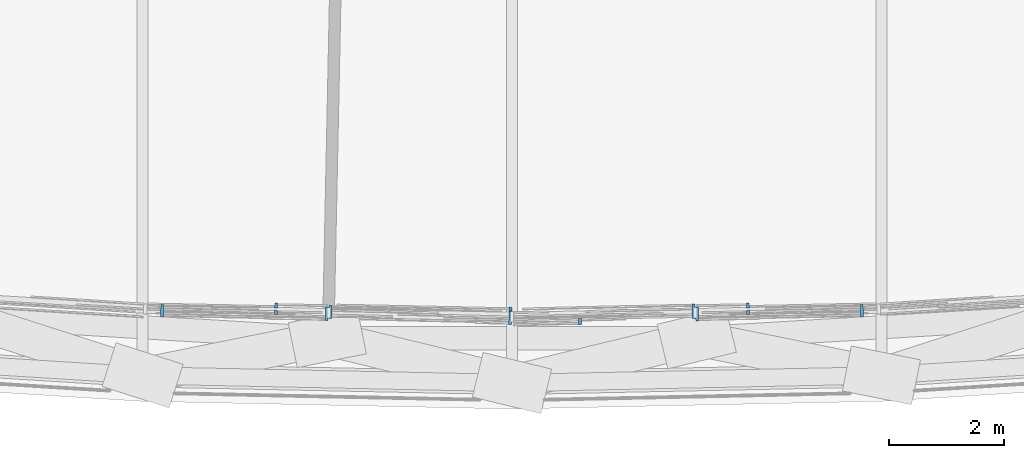
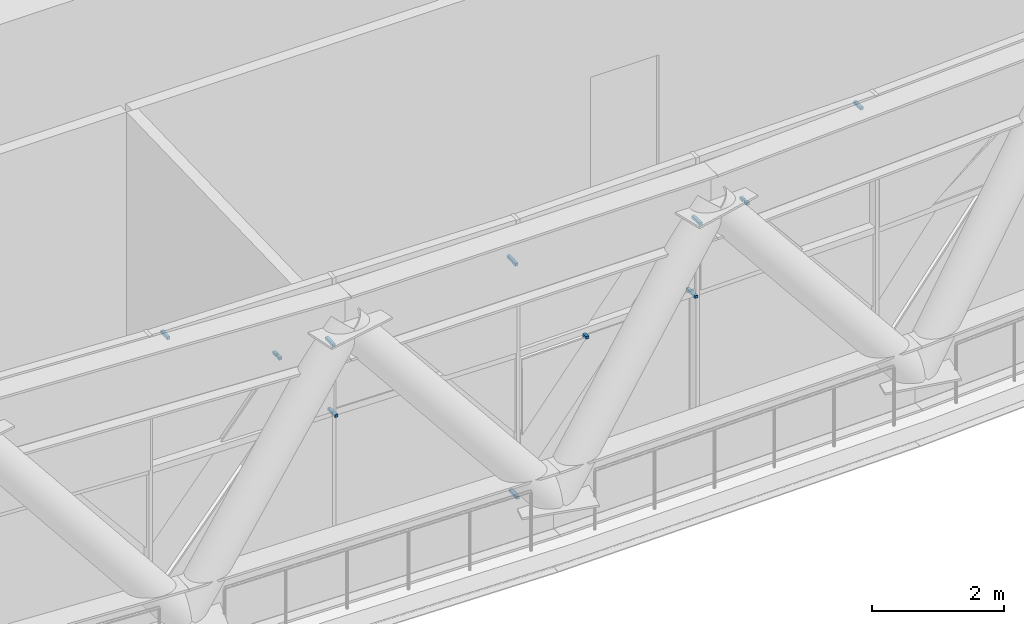
# One storey, part 26 of 33: 13 discrete accessories, 1 element without a shape of its own.
"""IFC4 building model written with IfcOpenShell, lengths in metres."""

from ifc_helpers import new_model, si_unit, direction, frame, origin, origin_2d, place, context, subcontext, project, spatial, rectangle, extrude, material, layer, layer_set, type_object, element, aggregate, save


model = new_model("IFC4")

# Units and contexts
model_context = context("Model", 3, precision=1e-05, world=origin(), true_north=direction((0.0, 1.0)))
body_context = subcontext(model_context, "Body", "Model", "MODEL_VIEW")
ifc_project = project(units=[si_unit("LENGTHUNIT", "METRE"), si_unit("AREAUNIT", "SQUARE_METRE"), si_unit("VOLUMEUNIT", "CUBIC_METRE"), si_unit("PLANEANGLEUNIT", "RADIAN"), si_unit("MASSUNIT", "GRAM", prefix="KILO")], contexts=[model_context])

# Site, building, storey
site_placement = place(None, origin())
site = spatial("IfcSite", under=ifc_project, at=site_placement, CompositionType="ELEMENT")
building_placement = place(site_placement, origin())
building = spatial("IfcBuilding", under=site, at=building_placement, Name="Mestral Congress Tower", CompositionType="ELEMENT")
storey_placement = place(building_placement, frame((0.0, 0.0, 256.199951171875)))
storey = spatial("IfcBuildingStorey", under=building, at=storey_placement, Name="L60", CompositionType="ELEMENT", Elevation=256.199951171875)

# Curtain wall, discrete accessories
ifc_material_1 = material(Name="Clear low-emissivity double glazing", Category="glass")
curtain_wall_type = type_object("IfcCurtainWallType", Name="Facade refuge band screen", PredefinedType="USERDEFINED", material=ifc_material_1)
curtain_wall_placement = place(storey_placement, origin())
curtain_wall = element("IfcCurtainWall", 1, at=curtain_wall_placement, inside=storey, type_object=curtain_wall_type, Name="Facade refuge band screen face 1", ObjectType="CURTAIN WALL", PredefinedType="USERDEFINED")
ifc_material_2 = material(Name="Steel S355", Category="steel")
ifc_layer = layer(ifc_material_2, 0.050048828125)
ifc_layer_set = layer_set([ifc_layer], Name="Steel S355")
discrete_accessory_type = type_object("IfcDiscreteAccessoryType", Name="Facade bracket", PredefinedType="BRACKET", material=ifc_layer_set)
discrete_accessory_1_placement = place(storey_placement, frame((-3.206298828125, -18.232177734375, 3.86279296875), z_axis=(0.0, 0.0, 1.0), x_axis=(0.999784794341, -0.020745240526, 0.0)))
discrete_accessory_1 = element("IfcDiscreteAccessory", 2, at=discrete_accessory_1_placement, type_object=discrete_accessory_type, Name="Facade bracket", PredefinedType="BRACKET", context=body_context, shape_type="SweptSolid", body=[
    extrude(rectangle(XDim=0.050048828125, YDim=0.236572265625, at=origin_2d()), origin(), (0.0, 0.0, 1.0), 0.050048828125),
])
discrete_accessory_2_placement = place(storey_placement, frame((-4.0859375, -18.208251953125, 3.86279296875), z_axis=(0.0, 0.0, 1.0), x_axis=(0.999784142117, -0.020776649681, 0.0)))
discrete_accessory_2 = element("IfcDiscreteAccessory", 3, at=discrete_accessory_2_placement, type_object=discrete_accessory_type, Name="Facade bracket", PredefinedType="BRACKET", context=body_context, shape_type="SweptSolid", body=[
    extrude(rectangle(XDim=0.050048828125, YDim=0.076416015625, at=origin_2d()), origin(), (0.0, 0.0, 1.0), 0.050048828125),
])
discrete_accessory_3_placement = place(storey_placement, frame((-6.059326171875, -18.17578125, 4.955078125), z_axis=(0.0, 0.0, 1.0), x_axis=(0.999784758132, -0.02074698548, 0.0)))
discrete_accessory_3 = element("IfcDiscreteAccessory", 4, at=discrete_accessory_3_placement, type_object=discrete_accessory_type, Name="Facade bracket", PredefinedType="BRACKET", context=body_context, shape_type="SweptSolid", body=[
    extrude(rectangle(XDim=0.050048828125, YDim=0.212890625, at=origin_2d()), origin(), (0.0, 0.0, 1.0), 0.050048828125),
])
discrete_accessory_4_placement = place(storey_placement, frame((-4.083740234375, -18.088134765625, 3.86279296875), z_axis=(0.0, 0.0, 1.0), x_axis=(0.999784178377, -0.020774904729, 0.0)))
discrete_accessory_4 = element("IfcDiscreteAccessory", 5, at=discrete_accessory_4_placement, type_object=discrete_accessory_type, Name="Facade bracket", PredefinedType="BRACKET", context=body_context, shape_type="SweptSolid", body=[
    extrude(rectangle(XDim=0.05078125, YDim=0.08349609375, at=origin_2d()), origin(), (0.0, 0.0, 1.0), 0.050048828125),
])
discrete_accessory_5_placement = place(storey_placement, frame((-0.0302734375, -18.298095703125, -0.02490234375), z_axis=(0.0, 0.0, 1.0), x_axis=(0.999784540815, -0.0207574552, 0.0)))
discrete_accessory_5 = element("IfcDiscreteAccessory", 6, at=discrete_accessory_5_placement, type_object=discrete_accessory_type, Name="Facade bracket", PredefinedType="BRACKET", context=body_context, shape_type="SweptSolid", body=[
    extrude(rectangle(XDim=0.050048828125, YDim=0.23681640625, at=origin_2d()), origin(), (0.0, 0.0, 1.0), 0.050048828125),
])
discrete_accessory_6_placement = place(storey_placement, frame((-3.1455078125, -18.199462890625, 2.51513671875), z_axis=(0.0, 0.0, 1.0), x_axis=(0.999784323389, -0.020767924918, 0.0)))
discrete_accessory_6 = element("IfcDiscreteAccessory", 7, at=discrete_accessory_6_placement, type_object=discrete_accessory_type, Name="Facade bracket", PredefinedType="BRACKET", context=body_context, shape_type="SweptSolid", body=[
    extrude(rectangle(XDim=0.051025390625, YDim=0.23095703125, at=origin_2d()), origin(), (0.0, 0.0, 1.0), 0.050048828125),
])
discrete_accessory_7_placement = place(storey_placement, frame((-0.029296875, -18.248779296875, 4.26318359375), z_axis=(0.0, 0.0, 1.0), x_axis=(0.999784902949, -0.020740005665, 0.0)))
discrete_accessory_7 = element("IfcDiscreteAccessory", 8, at=discrete_accessory_7_placement, type_object=discrete_accessory_type, Name="Facade bracket", PredefinedType="BRACKET", context=body_context, shape_type="SweptSolid", body=[
    extrude(rectangle(XDim=0.050048828125, YDim=0.26220703125, at=origin_2d()), origin(), (0.0, 0.0, 1.0), 0.050048828125),
])
discrete_accessory_8_placement = place(storey_placement, frame((3.144775390625, -18.1865234375, 2.51513671875), z_axis=(0.0, 0.0, 1.0), x_axis=(0.999784323389, 0.020767924918, 0.0)))
discrete_accessory_8 = element("IfcDiscreteAccessory", 9, at=discrete_accessory_8_placement, type_object=discrete_accessory_type, Name="Facade bracket", PredefinedType="BRACKET", context=body_context, shape_type="SweptSolid", body=[
    extrude(rectangle(XDim=0.05029296875, YDim=0.257080078125, at=origin_2d()), origin(), (0.0, 0.0, 1.0), 0.050048828125),
])
discrete_accessory_9_placement = place(storey_placement, frame((1.179443359375, -18.36669921875, 2.51513671875), z_axis=(0.0, 0.0, 1.0), x_axis=(0.999785047717, 0.020733025849, 0.0)))
discrete_accessory_9 = element("IfcDiscreteAccessory", 10, at=discrete_accessory_9_placement, type_object=discrete_accessory_type, Name="Facade bracket", PredefinedType="BRACKET", context=body_context, shape_type="SweptSolid", body=[
    extrude(rectangle(XDim=0.050048828125, YDim=0.104736328125, at=origin_2d()), origin(), (0.0, 0.0, 1.0), 0.050048828125),
])
discrete_accessory_10_placement = place(storey_placement, frame((4.0859375, -18.208251953125, 3.86279296875), z_axis=(0.0, 0.0, 1.0), x_axis=(0.999784142117, 0.020776649681, 0.0)))
discrete_accessory_10 = element("IfcDiscreteAccessory", 11, at=discrete_accessory_10_placement, type_object=discrete_accessory_type, Name="Facade bracket", PredefinedType="BRACKET", context=body_context, shape_type="SweptSolid", body=[
    extrude(rectangle(XDim=0.050048828125, YDim=0.076416015625, at=origin_2d()), origin(), (0.0, 0.0, 1.0), 0.050048828125),
])
discrete_accessory_11_placement = place(storey_placement, frame((6.059326171875, -18.176025390625, 4.955078125), z_axis=(0.0, 0.0, 1.0), x_axis=(0.999784395877, 0.020764435012, 0.0)))
discrete_accessory_11 = element("IfcDiscreteAccessory", 12, at=discrete_accessory_11_placement, type_object=discrete_accessory_type, Name="Facade bracket", PredefinedType="BRACKET", context=body_context, shape_type="SweptSolid", body=[
    extrude(rectangle(XDim=0.050048828125, YDim=0.212890625, at=origin_2d()), origin(), (0.0, 0.0, 1.0), 0.050048828125),
])
discrete_accessory_12_placement = place(storey_placement, frame((3.20556640625, -18.233154296875, 3.86279296875), z_axis=(0.0, 0.0, 1.0), x_axis=(0.999784794341, 0.020745240526, 0.0)))
discrete_accessory_12 = element("IfcDiscreteAccessory", 13, at=discrete_accessory_12_placement, type_object=discrete_accessory_type, Name="Facade bracket", PredefinedType="BRACKET", context=body_context, shape_type="SweptSolid", body=[
    extrude(rectangle(XDim=0.05029296875, YDim=0.238525390625, at=origin_2d()), origin(), (0.0, 0.0, 1.0), 0.050048828125),
])
discrete_accessory_13_placement = place(storey_placement, frame((4.083740234375, -18.087158203125, 3.86279296875), z_axis=(0.0, 0.0, 1.0), x_axis=(0.999784178377, 0.020774904729, 0.0)))
discrete_accessory_13 = element("IfcDiscreteAccessory", 14, at=discrete_accessory_13_placement, type_object=discrete_accessory_type, Name="Facade bracket", PredefinedType="BRACKET", context=body_context, shape_type="SweptSolid", body=[
    extrude(rectangle(XDim=0.05078125, YDim=0.081298828125, at=origin_2d()), origin(), (0.0, 0.0, 1.0), 0.050048828125),
])
aggregate(curtain_wall, [discrete_accessory_1, discrete_accessory_2, discrete_accessory_3, discrete_accessory_4, discrete_accessory_5, discrete_accessory_6, discrete_accessory_7, discrete_accessory_8, discrete_accessory_9, discrete_accessory_10, discrete_accessory_11, discrete_accessory_12, discrete_accessory_13])

save(model, "model.ifc")
